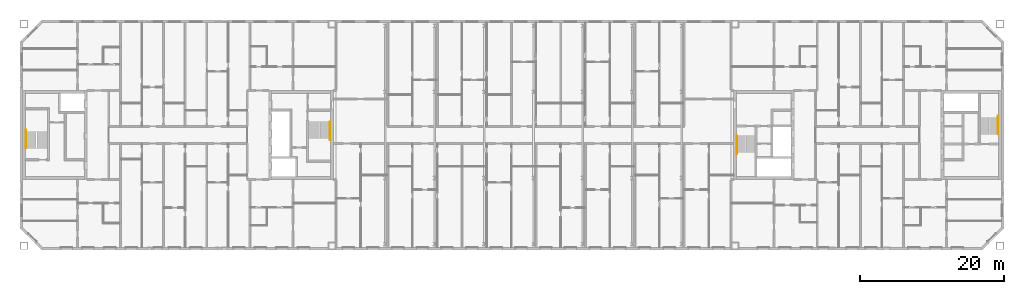
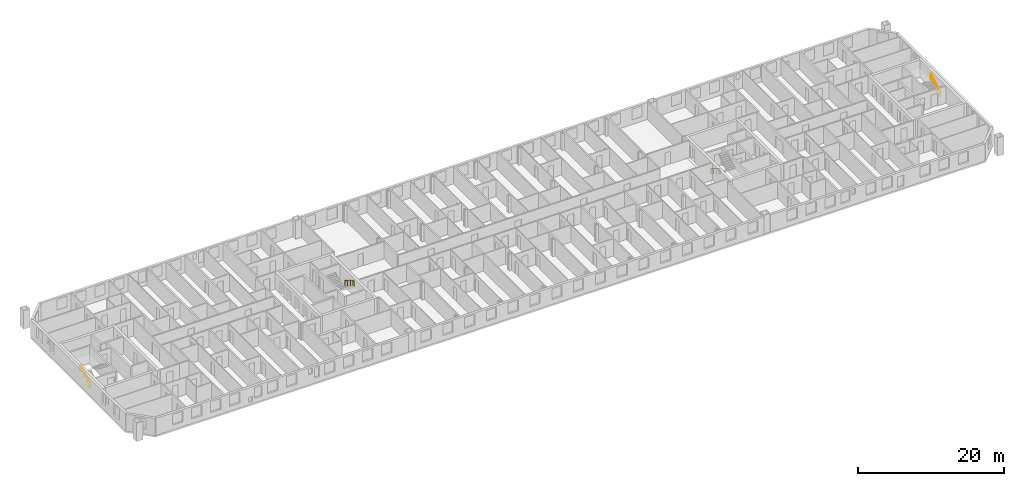
# One storey, part 19 of 19: 4 railings.
"""IFC4 building model written with IfcOpenShell, lengths in metres."""

from ifc_helpers import new_model, si_unit, direction, frame, origin, origin_2d, place, context, subcontext, project, spatial, circle, extrude, material, type_object, element, save


model = new_model("IFC4")

# Units and contexts
model_context = context("Model", 3, precision=1e-05, world=origin(), true_north=direction((0.0, 1.0)))
body_context = subcontext(model_context, "Body", "Model", "MODEL_VIEW")
ifc_project = project(units=[si_unit("LENGTHUNIT", "METRE"), si_unit("AREAUNIT", "SQUARE_METRE"), si_unit("VOLUMEUNIT", "CUBIC_METRE"), si_unit("PLANEANGLEUNIT", "RADIAN"), si_unit("MASSUNIT", "GRAM", prefix="KILO")], contexts=[model_context])

# Site, building, storey
site_placement = place(None, origin())
site = spatial("IfcSite", under=ifc_project, at=site_placement, CompositionType="ELEMENT")
building_placement = place(site_placement, origin())
building = spatial("IfcBuilding", under=site, at=building_placement, Name="Tuart Gate Housing", CompositionType="ELEMENT")
storey_placement = place(building_placement, frame((0.0, 0.0, 227.60009765625)))
storey = spatial("IfcBuildingStorey", under=building, at=storey_placement, Name="L64", CompositionType="ELEMENT", Elevation=227.60009765625)

# Railings
ifc_material = material(Name="Stainless steel", Category="steel")
railing_type = type_object("IfcRailingType", Name="Stair handrail 900", PredefinedType="HANDRAIL", material=ifc_material)
railing_1_placement = place(storey_placement, frame((75.179931640625, 71.824951171875, 0.172119140625)))
element("IfcRailing", 1, at=railing_1_placement, inside=storey, type_object=railing_type, Name="Stair handrail SA1.1", PredefinedType="HANDRAIL", context=body_context, shape_type="SweptSolid", body=[
    extrude(circle(Radius=0.02392578125, at=origin_2d()), frame((0.0, 0.0, 0.8759765625), z_axis=(0.0, -0.85178898068, 0.523885037382), x_axis=(1.0, 0.0, 0.0)), (0.0, 0.0, 1.0), 2.629638671875),
    extrude(circle(Radius=0.02392578125, at=origin_2d()), frame((0.0, -2.239990234375, 2.25341796875), z_axis=(0.0, -1.0, 0.0), x_axis=(1.0, 0.0, 0.0)), (0.0, 0.0, 1.0), 0.300048828125),
    extrude(circle(Radius=0.02099609375, at=origin_2d()), origin(), (0.0, 0.0, 1.0), 0.851806640625),
    extrude(circle(Radius=0.02099609375, at=origin_2d()), frame((0.0, -0.74658203125, 0.459228515625)), (0.0, 0.0, 1.0), 0.851806640625),
    extrude(circle(Radius=0.02099609375, at=origin_2d()), frame((0.0, -1.493408203125, 0.91845703125)), (0.0, 0.0, 1.0), 0.851806640625),
    extrude(circle(Radius=0.02099609375, at=origin_2d()), frame((0.0, -2.239990234375, 1.377685546875)), (0.0, 0.0, 1.0), 0.851806640625),
    extrude(circle(Radius=0.02099609375, at=origin_2d()), frame((0.0, -2.5400390625, 1.377685546875)), (0.0, 0.0, 1.0), 0.851806640625),
])
railing_2_placement = place(storey_placement, frame((32.820068359375, 68.175048828125, 0.172119140625)))
element("IfcRailing", 2, at=railing_2_placement, inside=storey, type_object=railing_type, Name="Stair handrail SA2.1", PredefinedType="HANDRAIL", context=body_context, shape_type="SweptSolid", body=[
    extrude(circle(Radius=0.02392578125, at=origin_2d()), frame((0.0, 0.0, 0.8759765625), z_axis=(0.0, 0.85178898068, 0.523885037382), x_axis=(-1.0, 0.0, 0.0)), (0.0, 0.0, 1.0), 2.629638671875),
    extrude(circle(Radius=0.02392578125, at=origin_2d()), frame((0.0, 2.239990234375, 2.25341796875), z_axis=(0.0, 1.0, 0.0), x_axis=(-1.0, 0.0, 0.0)), (0.0, 0.0, 1.0), 0.300048828125),
    extrude(circle(Radius=0.02099609375, at=origin_2d()), origin(), (0.0, 0.0, 1.0), 0.851806640625),
    extrude(circle(Radius=0.02099609375, at=origin_2d()), frame((0.0, 0.74658203125, 0.459228515625)), (0.0, 0.0, 1.0), 0.851806640625),
    extrude(circle(Radius=0.02099609375, at=origin_2d()), frame((0.0, 1.493408203125, 0.91845703125)), (0.0, 0.0, 1.0), 0.851806640625),
    extrude(circle(Radius=0.02099609375, at=origin_2d()), frame((0.0, 2.239990234375, 1.377685546875)), (0.0, 0.0, 1.0), 0.851806640625),
    extrude(circle(Radius=0.02099609375, at=origin_2d()), frame((0.0, 2.5400390625, 1.377685546875)), (0.0, 0.0, 1.0), 0.851806640625),
])
railing_3_placement = place(storey_placement, frame((131.820068359375, 69.875, 0.172119140625)))
element("IfcRailing", 3, at=railing_3_placement, inside=storey, type_object=railing_type, Name="Stair handrail SB1.1", PredefinedType="HANDRAIL", context=body_context, shape_type="SweptSolid", body=[
    extrude(circle(Radius=0.02392578125, at=origin_2d()), frame((0.0, 0.0, 0.8759765625), z_axis=(0.0, -0.85178898068, 0.523885037382), x_axis=(1.0, 0.0, 0.0)), (0.0, 0.0, 1.0), 2.629638671875),
    extrude(circle(Radius=0.02392578125, at=origin_2d()), frame((0.0, -2.239990234375, 2.25341796875), z_axis=(0.0, -1.0, 0.0), x_axis=(1.0, 0.0, 0.0)), (0.0, 0.0, 1.0), 0.300048828125),
    extrude(circle(Radius=0.02099609375, at=origin_2d()), origin(), (0.0, 0.0, 1.0), 0.851806640625),
    extrude(circle(Radius=0.02099609375, at=origin_2d()), frame((0.0, -0.74658203125, 0.459228515625)), (0.0, 0.0, 1.0), 0.851806640625),
    extrude(circle(Radius=0.02099609375, at=origin_2d()), frame((0.0, -1.493408203125, 0.91845703125)), (0.0, 0.0, 1.0), 0.851806640625),
    extrude(circle(Radius=0.02099609375, at=origin_2d()), frame((0.0, -2.239990234375, 1.377685546875)), (0.0, 0.0, 1.0), 0.851806640625),
    extrude(circle(Radius=0.02099609375, at=origin_2d()), frame((0.0, -2.5400390625, 1.377685546875)), (0.0, 0.0, 1.0), 0.851806640625),
])
railing_4_placement = place(storey_placement, frame((168.179931640625, 70.125, 0.172119140625)))
element("IfcRailing", 4, at=railing_4_placement, inside=storey, type_object=railing_type, Name="Stair handrail SB2.1", PredefinedType="HANDRAIL", context=body_context, shape_type="SweptSolid", body=[
    extrude(circle(Radius=0.02392578125, at=origin_2d()), frame((0.0, 0.0, 0.8759765625), z_axis=(0.0, 0.85178898068, 0.523885037382), x_axis=(-1.0, 0.0, 0.0)), (0.0, 0.0, 1.0), 2.629638671875),
    extrude(circle(Radius=0.02392578125, at=origin_2d()), frame((0.0, 2.239990234375, 2.25341796875), z_axis=(0.0, 1.0, 0.0), x_axis=(-1.0, 0.0, 0.0)), (0.0, 0.0, 1.0), 0.300048828125),
    extrude(circle(Radius=0.02099609375, at=origin_2d()), origin(), (0.0, 0.0, 1.0), 0.851806640625),
    extrude(circle(Radius=0.02099609375, at=origin_2d()), frame((0.0, 0.74658203125, 0.459228515625)), (0.0, 0.0, 1.0), 0.851806640625),
    extrude(circle(Radius=0.02099609375, at=origin_2d()), frame((0.0, 1.493408203125, 0.91845703125)), (0.0, 0.0, 1.0), 0.851806640625),
    extrude(circle(Radius=0.02099609375, at=origin_2d()), frame((0.0, 2.239990234375, 1.377685546875)), (0.0, 0.0, 1.0), 0.851806640625),
    extrude(circle(Radius=0.02099609375, at=origin_2d()), frame((0.0, 2.5400390625, 1.377685546875)), (0.0, 0.0, 1.0), 0.851806640625),
])

save(model, "model.ifc")
